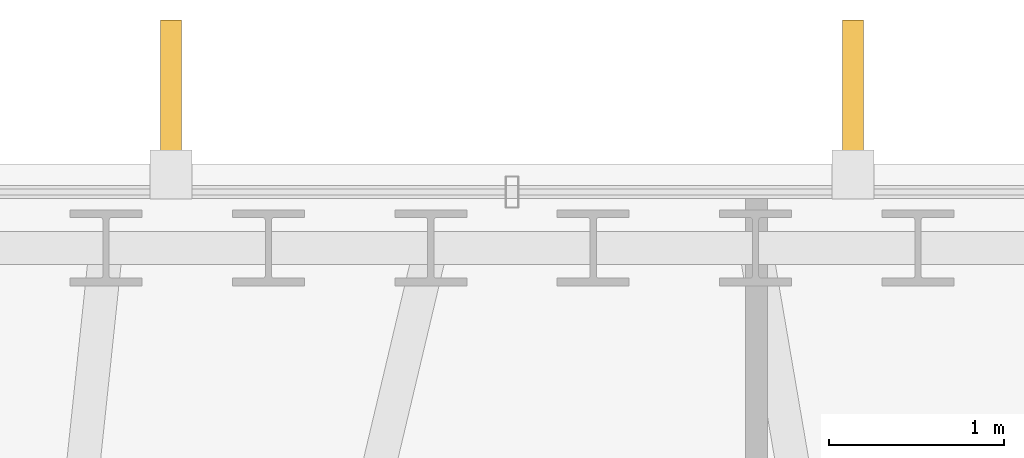
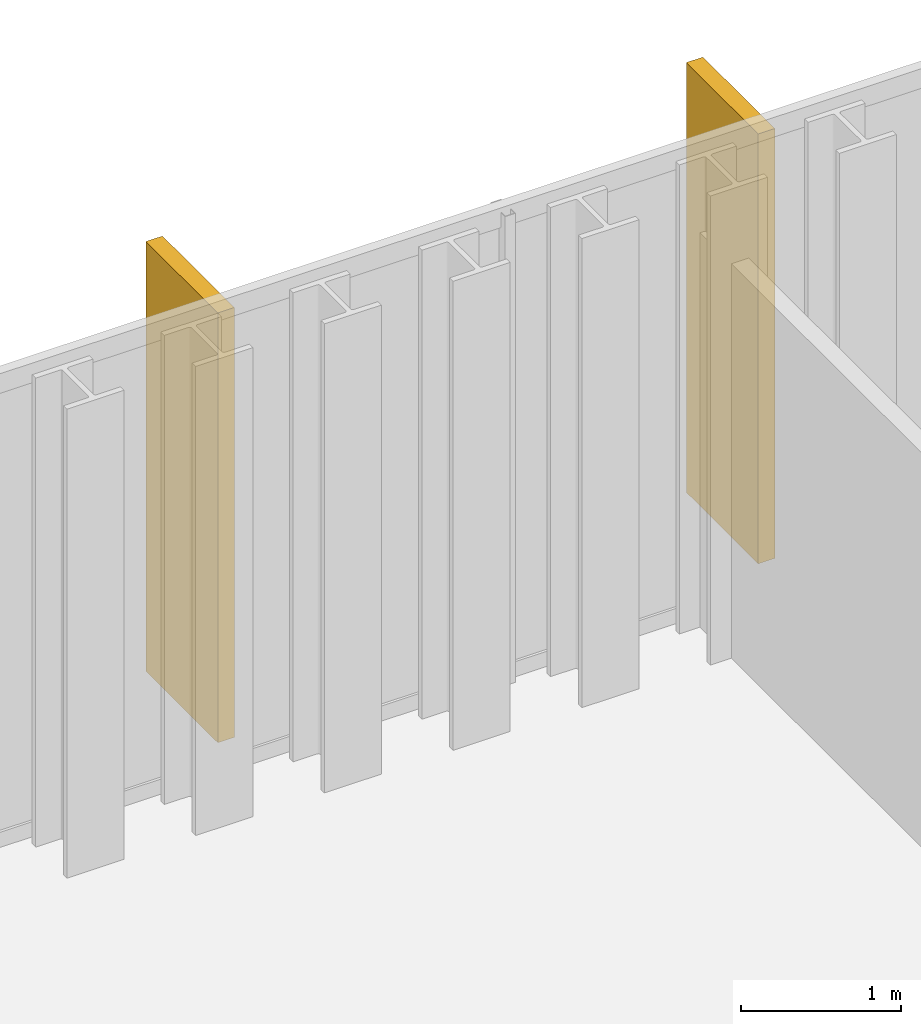
# One storey, part 30 of 30: 2 shading devices.
"""IFC4 building model written with IfcOpenShell, lengths in metres."""

from ifc_helpers import new_model, si_unit, direction, frame, origin, origin_2d, place, context, subcontext, project, spatial, rectangle, extrude, material, type_object, element, save


model = new_model("IFC4")

# Units and contexts
model_context = context("Model", 3, precision=1e-05, world=origin(), true_north=direction((0.0, 1.0)))
body_context = subcontext(model_context, "Body", "Model", "MODEL_VIEW")
ifc_project = project(units=[si_unit("LENGTHUNIT", "METRE"), si_unit("AREAUNIT", "SQUARE_METRE"), si_unit("VOLUMEUNIT", "CUBIC_METRE"), si_unit("PLANEANGLEUNIT", "RADIAN"), si_unit("MASSUNIT", "GRAM", prefix="KILO")], contexts=[model_context])

# Site, building, storey
site_placement = place(None, origin())
site = spatial("IfcSite", under=ifc_project, at=site_placement, CompositionType="ELEMENT")
building_placement = place(site_placement, origin())
building = spatial("IfcBuilding", under=site, at=building_placement, Name="Ndaravel Arena Tower", CompositionType="ELEMENT")
storey_placement = place(building_placement, frame((0.0, 0.0, 221.800048828125)))
storey = spatial("IfcBuildingStorey", under=building, at=storey_placement, Name="L53", CompositionType="ELEMENT", Elevation=221.800048828125)

# Shading devices
ifc_material = material(Name="Masonry", Category="masonry")
shading_device_type = type_object("IfcShadingDeviceType", Name="SHD-MAZERAS-FIN", PredefinedType="SHUTTER", material=ifc_material)
for number, where, z_axis, x_axis, name in (
    (1, (43.950927734375, 46.11181640625, 0.14990234375), (0.0, 0.0, 1.0), (0.0, 1.0, 0.0), "L53 Mazeras Stone Solar Fin E4.1"),
    (2, (40.049072265625, 46.11181640625, 0.14990234375), (0.0, 0.0, 1.0), (0.0, 1.0, 0.0), "L53 Mazeras Stone Solar Fin E4.2"),
):
    element("IfcShadingDevice", number, at=place(storey_placement, frame(where, z_axis=z_axis, x_axis=x_axis)), inside=storey, type_object=shading_device_type, Name=name, PredefinedType="SHUTTER", context=body_context, shape_type="SweptSolid", body=[
        extrude(rectangle(XDim=0.89990234375, YDim=0.1201171875, at=origin_2d()), origin(), (0.0, 0.0, 1.0), 3.280029296875),
    ])

save(model, "model.ifc")
